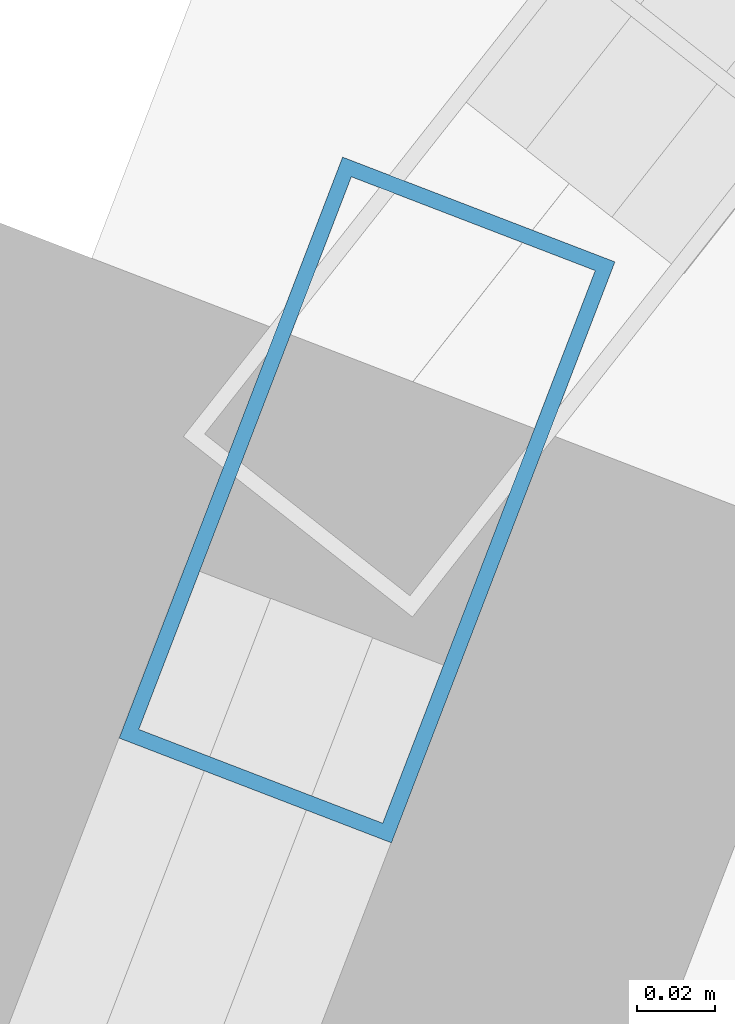
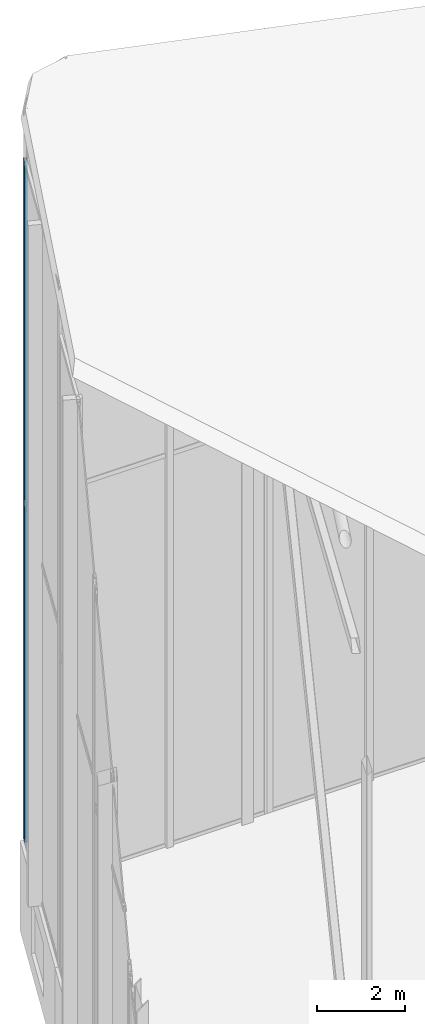
# One storey, part 36 of 74: 1 member, 1 element without a shape of its own.
"""IFC4 building model written with IfcOpenShell, lengths in metres."""

from ifc_helpers import new_model, si_unit, direction, frame, origin, origin_2d, place, context, subcontext, project, spatial, hollow_rectangle, extrude, material, layer, layer_set, material_profile, profile_set, type_object, element, aggregate, save


model = new_model("IFC4")

# Units and contexts
model_context = context("Model", 3, precision=1e-05, world=origin(), true_north=direction((0.0, 1.0)))
body_context = subcontext(model_context, "Body", "Model", "MODEL_VIEW")
ifc_project = project(units=[si_unit("LENGTHUNIT", "METRE"), si_unit("AREAUNIT", "SQUARE_METRE"), si_unit("VOLUMEUNIT", "CUBIC_METRE"), si_unit("PLANEANGLEUNIT", "RADIAN"), si_unit("MASSUNIT", "GRAM", prefix="KILO")], contexts=[model_context])

# Site, building, storey
site_placement = place(None, origin())
site = spatial("IfcSite", under=ifc_project, at=site_placement, CompositionType="ELEMENT")
building_placement = place(site_placement, origin())
building = spatial("IfcBuilding", under=site, at=building_placement, Name="Keshet Zoharim Tower", CompositionType="ELEMENT")
storey_placement = place(building_placement, frame((0.0, 0.0, 320.0)))
storey = spatial("IfcBuildingStorey", under=building, at=storey_placement, Name="RF", CompositionType="ELEMENT", Elevation=320.0)

# Curtain wall, member
ifc_material = material(Name="Aluminium 6063-T6", Category="aluminium")
ifc_layer = layer(ifc_material, 0.260009765625)
ifc_layer_set = layer_set([ifc_layer], Name="Aluminium 6063-T6")
curtain_wall_type = type_object("IfcCurtainWallType", Name="CW-SYS-06", PredefinedType="NOTDEFINED", material=ifc_layer_set)
curtain_wall_placement = place(storey_placement, origin())
curtain_wall = element("IfcCurtainWall", 1, at=curtain_wall_placement, inside=storey, type_object=curtain_wall_type, Name="Slanted Crown Curtain Wall 08", PredefinedType="NOTDEFINED")
ifc_material_profile = material_profile(ifc_material, hollow_rectangle(XDim=0.074951171875, YDim=0.159912109375, WallThickness=0.00390625, at=origin_2d()), Name="MUL-75x160")
ifc_profile_set = profile_set([ifc_material_profile], Name="Aluminium 6063-T6")
member_type = type_object("IfcMemberType", Name="CWM-M15", PredefinedType="MULLION", material=ifc_profile_set)
member_placement = place(storey_placement, frame((14.495361328125, 52.587646484375, 2.5), z_axis=(0.0, 0.0, 1.0), x_axis=(-0.933345606206, 0.358979079302, 0.0)))
member = element("IfcMember", 2, at=member_placement, type_object=member_type, Name="CW-06 mullion 3", PredefinedType="MULLION", context=body_context, shape_type="SweptSolid", body=[
    extrude(hollow_rectangle(XDim=0.074951171875, YDim=0.159912109375, WallThickness=0.00390625, at=origin_2d()), origin(), (0.0, 0.0, 1.0), 18.9609375),
])
aggregate(curtain_wall, [member])

save(model, "model.ifc")
